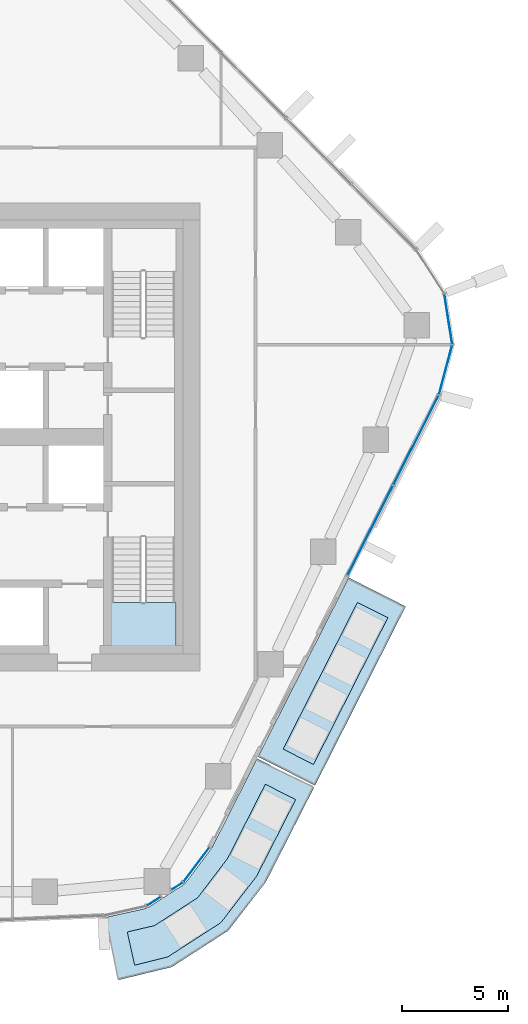
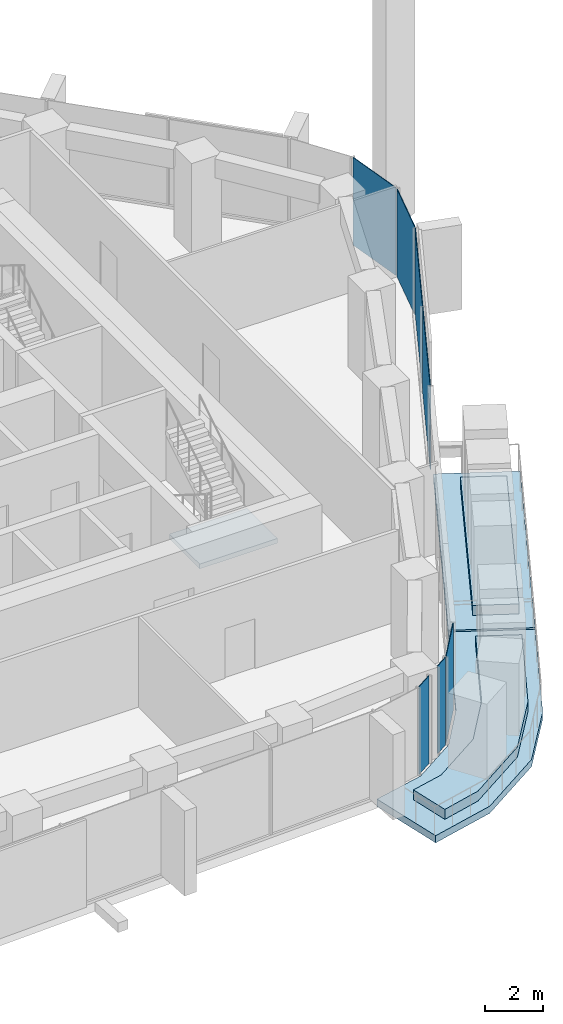
# One storey, part 9 of 18: 7 plates, 5 slabs, 5 elements without a shape of their own.
"""IFC4 building model written with IfcOpenShell, lengths in metres."""

from ifc_helpers import new_model, si_unit, direction, frame, origin, origin_2d, place, context, subcontext, project, spatial, polyline, rectangle, outline, extrude, material, layer, layer_set, type_object, element, aggregate, save


model = new_model("IFC4")

# Units and contexts
model_context = context("Model", 3, precision=1e-05, world=origin(), true_north=direction((0.0, 1.0)))
body_context = subcontext(model_context, "Body", "Model", "MODEL_VIEW")
ifc_project = project(units=[si_unit("LENGTHUNIT", "METRE"), si_unit("AREAUNIT", "SQUARE_METRE"), si_unit("VOLUMEUNIT", "CUBIC_METRE"), si_unit("PLANEANGLEUNIT", "RADIAN"), si_unit("MASSUNIT", "GRAM", prefix="KILO")], contexts=[model_context])

# Site, building, storey
site_placement = place(None, origin())
site = spatial("IfcSite", under=ifc_project, at=site_placement, CompositionType="ELEMENT")
building_placement = place(site_placement, origin())
building = spatial("IfcBuilding", under=site, at=building_placement, Name="Dongbaek Canopy Tower", CompositionType="ELEMENT")
storey_placement = place(building_placement, frame((0.0, 0.0, 171.199951171875)))
storey = spatial("IfcBuildingStorey", under=building, at=storey_placement, Name="L37", CompositionType="ELEMENT", Elevation=171.199951171875)

# Slabs
ifc_material_1 = material(Name="Concrete C40/50", Category="concrete")
ifc_layer_1 = layer(ifc_material_1, 0.300048828125)
ifc_layer_set_1 = layer_set([ifc_layer_1], Name="Balcony slab 300")
slab_type_1 = type_object("IfcSlabType", Name="Balcony slab 300", PredefinedType="FLOOR", material=ifc_layer_set_1)
slab_1_placement = place(storey_placement, frame((0.0, 0.0, -0.300048828125)))
element("IfcSlab", 1, at=slab_1_placement, inside=storey, type_object=slab_type_1, Name="Balcony L37 1", PredefinedType="FLOOR", context=body_context, shape_type="SweptSolid", body=[
    extrude(outline(polyline([(16.719482421875, -15.018798828125), (20.982177734375, -6.60693359375), (23.658203125, -7.962890625), (19.395751953125, -16.374755859375), (16.719482421875, -15.018798828125)])), origin(), (0.0, 0.0, 1.0), 0.300048828125),
])
slab_2_placement = place(storey_placement, frame((0.0, 0.0, -0.300048828125)))
element("IfcSlab", 2, at=slab_2_placement, inside=storey, type_object=slab_type_1, Name="Balcony L37 2", PredefinedType="FLOOR", context=body_context, shape_type="SweptSolid", body=[
    extrude(outline(polyline([(9.501708984375, -22.585205078125), (11.50732421875, -22.13671875), (13.27685546875, -20.995849609375), (14.543212890625, -19.31396484375), (16.67431640625, -15.10791015625), (19.350341796875, -16.464111328125), (17.08935546875, -20.900390625), (15.319580078125, -23.192626953125), (12.66552734375, -24.904052734375), (10.156494140625, -25.512939453125), (9.501708984375, -22.585205078125)])), origin(), (0.0, 0.0, 1.0), 0.300048828125),
])

# Curtain wall, plates
ifc_material_2 = material(Name="Aluminium 6063-T6 pale anodised", Category="aluminium")
ifc_layer_2 = layer(ifc_material_2, 0.199951171875)
ifc_layer_set_2 = layer_set([ifc_layer_2], Name="CW-1 unitised tower curtain wall")
curtain_wall_type = type_object("IfcCurtainWallType", Name="CW-1 unitised tower curtain wall", PredefinedType="NOTDEFINED", material=ifc_layer_set_2)
curtain_wall_1_placement = place(storey_placement, origin())
curtain_wall_1 = element("IfcCurtainWall", 3, at=curtain_wall_1_placement, inside=storey, type_object=curtain_wall_type, Name="CW-1 curtain wall K0.1", PredefinedType="NOTDEFINED")
ifc_material_3 = material(Name="Clear laminated glass", Category="glass")
ifc_layer_3 = layer(ifc_material_3, 0.028076171875)
ifc_layer_set_3 = layer_set([ifc_layer_3], Name="CW-1 glazed panel 28")
plate_type = type_object("IfcPlateType", Name="CW-1 glazed panel 28", PredefinedType="CURTAIN_PANEL", material=ifc_layer_set_3)
plate_1_placement = place(storey_placement, frame((25.5341796875, 3.157470703125, 0.0), z_axis=(0.0, 0.0, 1.0), x_axis=(0.257917045436, 0.966167065095, 0.0)))
plate_1 = element("IfcPlate", 4, at=plate_1_placement, type_object=plate_type, Name="CW-1 panel K0.1.1.1", PredefinedType="CURTAIN_PANEL", context=body_context, shape_type="SweptSolid", body=[
    extrude(rectangle(XDim=2.3642578125, YDim=0.028076171875, at=origin_2d()), origin(), (0.0, 0.0, 1.0), 3.699951171875),
])
plate_2_placement = place(storey_placement, frame((25.661376953125, 5.544189453125, 0.0), z_axis=(0.0, 0.0, 1.0), x_axis=(-0.15481117867, 0.987944076838, 0.0)))
plate_2 = element("IfcPlate", 5, at=plate_2_placement, type_object=plate_type, Name="CW-1 panel K0.1.2.1", PredefinedType="CURTAIN_PANEL", context=body_context, shape_type="SweptSolid", body=[
    extrude(rectangle(XDim=2.353515625, YDim=0.028076171875, at=origin_2d()), origin(), (0.0, 0.0, 1.0), 3.699951171875),
])
aggregate(curtain_wall_1, [plate_1, plate_2])

# Curtain wall, plate
curtain_wall_2_placement = place(storey_placement, origin())
curtain_wall_2 = element("IfcCurtainWall", 6, at=curtain_wall_2_placement, inside=storey, type_object=curtain_wall_type, Name="CW-1 curtain wall K5.1a", PredefinedType="NOTDEFINED")
plate_3_placement = place(storey_placement, frame((11.816162109375, -21.818603515625, 0.0), z_axis=(0.0, 0.0, 1.0), x_axis=(0.8404317739, 0.541917367704, 0.0)))
plate_3 = element("IfcPlate", 7, at=plate_3_placement, type_object=plate_type, Name="CW-1 panel K5.1a.2.1", PredefinedType="CURTAIN_PANEL", context=body_context, shape_type="SweptSolid", body=[
    extrude(rectangle(XDim=0.744140625, YDim=0.028076171875, at=origin_2d()), origin(), (0.0, 0.0, 1.0), 3.699951171875),
])
aggregate(curtain_wall_2, [plate_3])

# Curtain wall, plates
curtain_wall_3_placement = place(storey_placement, origin())
curtain_wall_3 = element("IfcCurtainWall", 8, at=curtain_wall_3_placement, inside=storey, type_object=curtain_wall_type, Name="CW-1 curtain wall K5.1b", PredefinedType="NOTDEFINED")
plate_4_placement = place(storey_placement, frame((12.925048828125, -21.103515625, 0.0), z_axis=(0.0, 0.0, 1.0), x_axis=(0.8404317739, 0.541917367704, 0.0)))
plate_4 = element("IfcPlate", 9, at=plate_4_placement, type_object=plate_type, Name="CW-1 panel K5.1b.1.1", PredefinedType="CURTAIN_PANEL", context=body_context, shape_type="SweptSolid", body=[
    extrude(rectangle(XDim=0.58837890625, YDim=0.028076171875, at=origin_2d()), origin(), (0.0, 0.0, 1.0), 3.699951171875),
])
plate_5_placement = place(storey_placement, frame((13.832763671875, -20.091064453125, 0.0), z_axis=(0.0, 0.0, 1.0), x_axis=(0.601494827227, 0.798876694377, 0.0)))
plate_5 = element("IfcPlate", 10, at=plate_5_placement, type_object=plate_type, Name="CW-1 panel K5.1b.2.1", PredefinedType="CURTAIN_PANEL", context=body_context, shape_type="SweptSolid", body=[
    extrude(rectangle(XDim=1.99462890625, YDim=0.028076171875, at=origin_2d()), origin(), (0.0, 0.0, 1.0), 3.699951171875),
])
aggregate(curtain_wall_3, [plate_4, plate_5])

curtain_wall_4_placement = place(storey_placement, origin())
curtain_wall_4 = element("IfcCurtainWall", 11, at=curtain_wall_4_placement, inside=storey, type_object=curtain_wall_type, Name="CW-1 curtain wall F5.1", PredefinedType="NOTDEFINED")
plate_6_placement = place(storey_placement, frame((21.992431640625, -4.391845703125, 0.1201171875), z_axis=(0.0, 0.0, 1.0), x_axis=(0.452009379459, 0.892013184253, 0.0)))
plate_6 = element("IfcPlate", 12, at=plate_6_placement, type_object=plate_type, Name="CW-1 panel F5.1.1.1", PredefinedType="CURTAIN_PANEL", context=body_context, shape_type="SweptSolid", body=[
    extrude(rectangle(XDim=4.68115234375, YDim=0.028076171875, at=origin_2d()), origin(), (0.0, 0.0, 1.0), 3.580078125),
])
plate_7_placement = place(storey_placement, frame((24.14404296875, -0.14599609375, 0.1201171875), z_axis=(0.0, 0.0, 1.0), x_axis=(0.452009379459, 0.892013184253, 0.0)))
plate_7 = element("IfcPlate", 13, at=plate_7_placement, type_object=plate_type, Name="CW-1 panel F5.1.2.1", PredefinedType="CURTAIN_PANEL", context=body_context, shape_type="SweptSolid", body=[
    extrude(rectangle(XDim=4.670654296875, YDim=0.028076171875, at=origin_2d()), origin(), (0.0, 0.0, 1.0), 3.580078125),
])
aggregate(curtain_wall_4, [plate_6, plate_7])

# Stair, slab
ifc_material_4 = material(Name="Concrete C40/50", Category="concrete")
stair_type = type_object("IfcStairType", Name="Core exit stair", PredefinedType="HALF_TURN_STAIR", material=ifc_material_4)
stair_placement = place(storey_placement, origin())
stair = element("IfcStair", 14, at=stair_placement, inside=storey, type_object=stair_type, Name="L37 exit stair B", PredefinedType="HALF_TURN_STAIR")
ifc_material_5 = material(Name="Concrete C40/50", Category="concrete")
ifc_layer_4 = layer(ifc_material_5, 0.199951171875)
ifc_layer_set_4 = layer_set([ifc_layer_4], Name="Core stair landing 200")
slab_type_2 = type_object("IfcSlabType", Name="Core stair landing 200", PredefinedType="LANDING", material=ifc_layer_set_4)
slab_3_placement = place(storey_placement, frame((0.0, 0.0, 1.900146484375)))
slab_3 = element("IfcSlab", 15, at=slab_3_placement, type_object=slab_type_2, Name="ST-B landing 1", PredefinedType="LANDING", context=body_context, shape_type="SweptSolid", body=[
    extrude(outline(polyline([(9.77490234375, -7.780029296875), (9.77490234375, -9.875), (12.875, -9.875), (12.875, -7.780029296875), (9.77490234375, -7.780029296875)])), origin(), (0.0, 0.0, 1.0), 0.199951171875),
])
aggregate(stair, [slab_3])

# Slabs
ifc_material_6 = material(Name="Reinforced concrete C40/50 planter box with soil", Category="concrete")
ifc_layer_5 = layer(ifc_material_6, 0.419921875)
ifc_layer_set_5 = layer_set([ifc_layer_5], Name="Terrace planter box 1600 x 420")
slab_type_3 = type_object("IfcSlabType", Name="Terrace planter box 1600 x 420", PredefinedType="USERDEFINED", material=ifc_layer_set_5)
slab_4_placement = place(storey_placement, origin())
element("IfcSlab", 16, at=slab_4_placement, inside=storey, type_object=slab_type_3, Name="Balcony planter L37 1", ObjectType="PLANTER", PredefinedType="USERDEFINED", context=body_context, shape_type="SweptSolid", body=[
    extrude(outline(polyline([(17.897705078125, -14.662841796875), (21.391845703125, -7.767333984375), (22.819091796875, -8.49072265625), (19.324951171875, -15.385986328125), (17.897705078125, -14.662841796875)])), origin(), (0.0, 0.0, 1.0), 0.420166015625),
])
slab_5_placement = place(storey_placement, origin())
element("IfcSlab", 17, at=slab_5_placement, inside=storey, type_object=slab_type_3, Name="Balcony planter L37 2", ObjectType="PLANTER", PredefinedType="USERDEFINED", context=body_context, shape_type="SweptSolid", body=[
    extrude(outline(polyline([(10.57421875, -23.25732421875), (11.85107421875, -22.957763671875), (13.8828125, -21.6474609375), (15.298583984375, -19.78466796875), (17.0615234375, -16.31298828125), (18.48876953125, -17.036376953125), (16.656494140625, -20.630615234375), (14.972412109375, -22.8193359375), (12.46875, -24.43359375), (10.92333984375, -24.81884765625), (10.57421875, -23.25732421875)])), origin(), (0.0, 0.0, 1.0), 0.420166015625),
])

save(model, "model.ifc")
